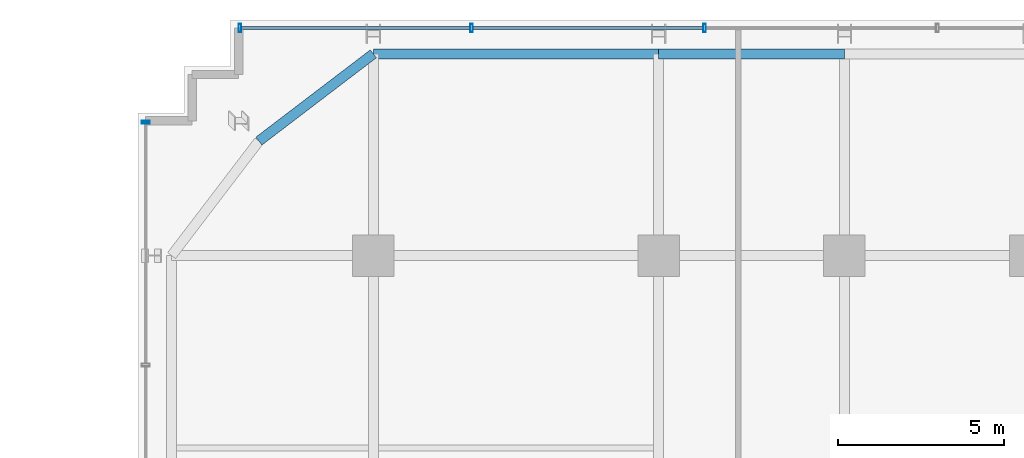
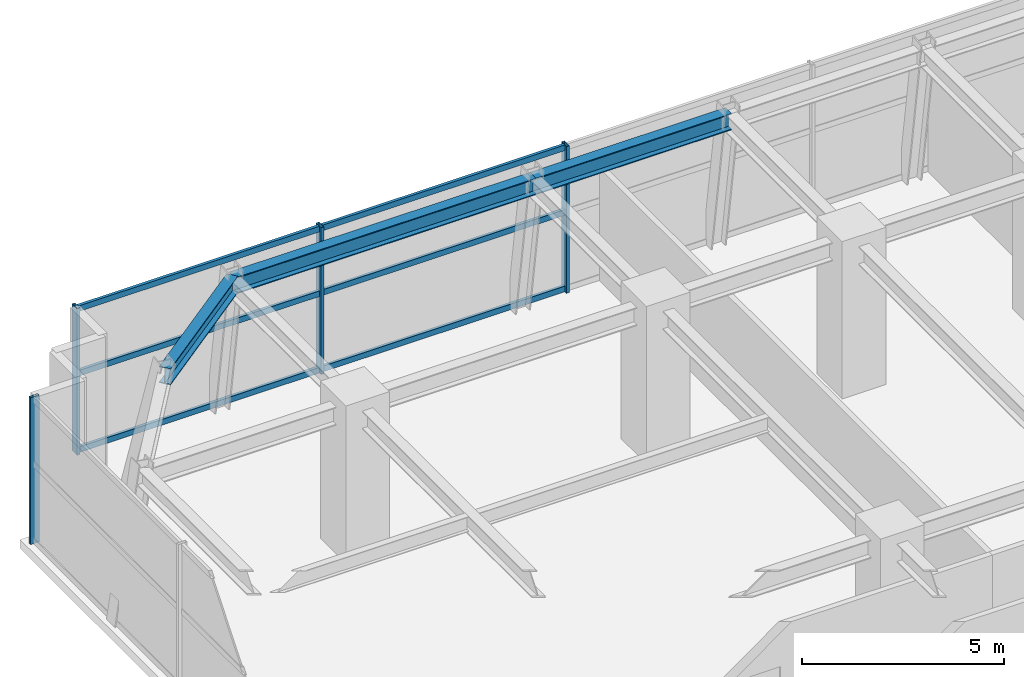
# One storey, part 14 of 26: 10 members, 3 beams, 2 elements without a shape of their own.
"""IFC4 building model written with IfcOpenShell, lengths in metres."""

from ifc_helpers import new_model, si_unit, direction, frame, origin, origin_2d, place, context, subcontext, project, spatial, hollow_rectangle, i_section, extrude, source, transform, mapped, material, material_profile, profile_set, type_object, element, aggregate, save


model = new_model("IFC4")

# Units and contexts
model_context = context("Model", 3, precision=1e-05, world=origin(), true_north=direction((0.0, 1.0)))
body_context = subcontext(model_context, "Body", "Model", "MODEL_VIEW")
ifc_project = project(units=[si_unit("LENGTHUNIT", "METRE"), si_unit("AREAUNIT", "SQUARE_METRE"), si_unit("VOLUMEUNIT", "CUBIC_METRE"), si_unit("PLANEANGLEUNIT", "RADIAN"), si_unit("MASSUNIT", "GRAM", prefix="KILO")], contexts=[model_context])

# Site, building, storey
site_placement = place(None, origin())
site = spatial("IfcSite", under=ifc_project, at=site_placement, CompositionType="ELEMENT")
building_placement = place(site_placement, origin())
building = spatial("IfcBuilding", under=site, at=building_placement, Name="Nahalor Promenade Grand Hotel", CompositionType="ELEMENT")
storey_placement = place(building_placement, frame((0.0, 0.0, 139.39990234375)))
storey = spatial("IfcBuildingStorey", under=building, at=storey_placement, Name="L35", CompositionType="ELEMENT", Elevation=139.39990234375)

# Beams
ifc_material_1 = material(Name="Steel S355JR", Category="steel")
ifc_material_profile_1 = material_profile(ifc_material_1, i_section(OverallWidth=0.3, OverallDepth=0.5, WebThickness=0.0145, FlangeThickness=0.028, at=origin_2d()), Name="HEB 500")
ifc_profile_set_1 = profile_set([ifc_material_profile_1], Name="Steel S355JR")
beam_type = type_object("IfcBeamType", Name="Beam-Spandrel-HEB500", PredefinedType="SPANDREL", material=ifc_profile_set_1)
shared_shape_1 = source(origin(), body_context, "Body", "SweptSolid", [
    extrude(i_section(OverallWidth=0.3, OverallDepth=0.5, WebThickness=0.0145, FlangeThickness=0.028, at=origin_2d()), origin(), (0.0, 0.0, 1.0), 8.60009765625),
])
beam_1_placement = place(storey_placement, frame((-17.0, 23.080078125, 4.190185546875), z_axis=(1.0, 0.0, 0.0), x_axis=(0.0, 1.0, 0.0)))
element("IfcBeam", 1, at=beam_1_placement, inside=storey, type_object=beam_type, Name="BM-L35-SP-N-0", PredefinedType="SPANDREL", context=body_context, shape_type="MappedRepresentation", body=[
    mapped(shared_shape_1, transform((0.0, 0.0, 0.0), scale=1.0)),
])
shared_shape_2 = source(origin(), body_context, "Body", "SweptSolid", [
    extrude(i_section(OverallWidth=0.3, OverallDepth=0.5, WebThickness=0.0145, FlangeThickness=0.028, at=origin_2d()), origin(), (0.0, 0.0, 1.0), 5.599853515625),
])
beam_2_placement = place(storey_placement, frame((-8.39990234375, 23.080078125, 4.190185546875), z_axis=(1.0, 0.0, 0.0), x_axis=(0.0, 1.0, 0.0)))
element("IfcBeam", 2, at=beam_2_placement, inside=storey, type_object=beam_type, Name="BM-L35-SP-N-1", PredefinedType="SPANDREL", context=body_context, shape_type="MappedRepresentation", body=[
    mapped(shared_shape_2, transform((0.0, 0.0, 0.0), scale=1.0)),
])
shared_shape_3 = source(origin(), body_context, "Body", "SweptSolid", [
    extrude(i_section(OverallWidth=0.3, OverallDepth=0.5, WebThickness=0.0145, FlangeThickness=0.028, at=origin_2d()), origin(), (0.0, 0.0, 1.0), 4.338134765625),
])
beam_3_placement = place(storey_placement, frame((-17.0, 23.080078125, 4.190185546875), z_axis=(-0.795254699214, -0.606275484724, 0.0), x_axis=(0.606275484724, -0.795254699214, 0.0)))
element("IfcBeam", 3, at=beam_3_placement, inside=storey, type_object=beam_type, Name="BM-L35-SPC-NW-1", PredefinedType="SPANDREL", context=body_context, shape_type="MappedRepresentation", body=[
    mapped(shared_shape_3, transform((0.0, 0.0, 0.0), scale=1.0)),
])

# Curtain wall, members
ifc_material_2 = material(Name="Anodised Bronze Aluminium EN AW-6063 T6", Category="aluminium")
curtain_wall_type = type_object("IfcCurtainWallType", Name="CW5 Sky-Lobby & Observation Panoramic Curtain Wall", PredefinedType="USERDEFINED", material=ifc_material_2)
curtain_wall_1_placement = place(storey_placement, origin())
curtain_wall_1 = element("IfcCurtainWall", 4, at=curtain_wall_1_placement, inside=storey, type_object=curtain_wall_type, Name="L35 Curtain Wall CW-L35-N-1", ObjectType="UNITISED_CURTAIN_WALL", PredefinedType="USERDEFINED")
ifc_material_profile_2 = material_profile(ifc_material_2, hollow_rectangle(XDim=0.085, YDim=0.25, WallThickness=0.006, at=origin_2d()), Name="CWM 85x250x6")
ifc_profile_set_2 = profile_set([ifc_material_profile_2], Name="Anodised Bronze Aluminium EN AW-6063 T6")
member_type_1 = type_object("IfcMemberType", Name="CWM5 Panoramic Deep Mullion 85x250", PredefinedType="MULLION", material=ifc_profile_set_2)
shared_shape_4 = source(origin(), body_context, "Body", "SweptSolid", [
    extrude(hollow_rectangle(XDim=0.085, YDim=0.25, WallThickness=0.006, at=origin_2d()), origin(), (0.0, 0.0, 1.0), 4.440185546875),
])
member_1_placement = place(storey_placement, frame((-21.017578125, 23.860107421875, 0.0), z_axis=(0.0, 0.0, 1.0), x_axis=(1.0, 0.0, 0.0)))
member_1 = element("IfcMember", 5, at=member_1_placement, type_object=member_type_1, Name="CW-L35-N-1 Mullion 0", PredefinedType="MULLION", context=body_context, shape_type="MappedRepresentation", body=[
    mapped(shared_shape_4, transform((0.0, 0.0, 0.0), scale=1.0)),
])
member_2_placement = place(storey_placement, frame((-14.0400390625, 23.860107421875, 0.0), z_axis=(0.0, 0.0, 1.0), x_axis=(1.0, 0.0, 0.0)))
member_2 = element("IfcMember", 6, at=member_2_placement, type_object=member_type_1, Name="CW-L35-N-1 Mullion 1", PredefinedType="MULLION", context=body_context, shape_type="MappedRepresentation", body=[
    mapped(shared_shape_4, transform((0.0, 0.0, 0.0), scale=1.0)),
])
member_3_placement = place(storey_placement, frame((-7.02001953125, 23.860107421875, 0.0), z_axis=(0.0, 0.0, 1.0), x_axis=(1.0, 0.0, 0.0)))
member_3 = element("IfcMember", 7, at=member_3_placement, type_object=member_type_1, Name="CW-L35-N-1 Mullion 2", PredefinedType="MULLION", context=body_context, shape_type="MappedRepresentation", body=[
    mapped(shared_shape_4, transform((0.0, 0.0, 0.0), scale=1.0)),
])

# Curtain wall, member
curtain_wall_2_placement = place(storey_placement, origin())
curtain_wall_2 = element("IfcCurtainWall", 8, at=curtain_wall_2_placement, inside=storey, type_object=curtain_wall_type, Name="L35 Curtain Wall CW-L35-W-3", ObjectType="UNITISED_CURTAIN_WALL", PredefinedType="USERDEFINED")
member_4_placement = place(storey_placement, frame((-23.860107421875, 21.017578125, 0.0), z_axis=(0.0, 0.0, 1.0), x_axis=(0.0, 1.0, 0.0)))
member_4 = element("IfcMember", 9, at=member_4_placement, type_object=member_type_1, Name="CW-L35-W-3 Mullion 4", PredefinedType="MULLION", context=body_context, shape_type="MappedRepresentation", body=[
    mapped(shared_shape_4, transform((0.0, 0.0, 0.0), scale=1.0)),
])
aggregate(curtain_wall_2, [member_4])

# Member
ifc_material_profile_3 = material_profile(ifc_material_2, hollow_rectangle(XDim=0.085, YDim=0.17, WallThickness=0.005, at=origin_2d()), Name="CWT 85x170x5")
ifc_profile_set_3 = profile_set([ifc_material_profile_3], Name="Anodised Bronze Aluminium EN AW-6063 T6")
member_type_2 = type_object("IfcMemberType", Name="CWT5 Panoramic Transom 85x170", PredefinedType="USERDEFINED", material=ifc_profile_set_3)
shared_shape_5 = source(origin(), body_context, "Body", "SweptSolid", [
    extrude(hollow_rectangle(XDim=0.085, YDim=0.17, WallThickness=0.005, at=origin_2d()), origin(), (0.0, 0.0, 1.0), 6.892578125),
])
member_5_placement = place(storey_placement, frame((-20.97509765625, 23.860107421875, 0.085205078125), z_axis=(1.0, 0.0, 0.0), x_axis=(0.0, 1.0, 0.0)))
member_5 = element("IfcMember", 10, at=member_5_placement, type_object=member_type_2, Name="CW-L35-N-1 Transom 0-0", ObjectType="TRANSOM", PredefinedType="USERDEFINED", context=body_context, shape_type="MappedRepresentation", body=[
    mapped(shared_shape_5, transform((0.0, 0.0, 0.0), scale=1.0)),
])

member_6_placement = place(storey_placement, frame((-20.97509765625, 23.860107421875, 2.400146484375), z_axis=(1.0, 0.0, 0.0), x_axis=(0.0, 1.0, 0.0)))
member_6 = element("IfcMember", 11, at=member_6_placement, type_object=member_type_2, Name="CW-L35-N-1 Transom 0-1", ObjectType="TRANSOM", PredefinedType="USERDEFINED", context=body_context, shape_type="MappedRepresentation", body=[
    mapped(shared_shape_5, transform((0.0, 0.0, 0.0), scale=1.0)),
])

member_7_placement = place(storey_placement, frame((-20.97509765625, 23.860107421875, 4.35498046875), z_axis=(1.0, 0.0, 0.0), x_axis=(0.0, 1.0, 0.0)))
member_7 = element("IfcMember", 12, at=member_7_placement, type_object=member_type_2, Name="CW-L35-N-1 Transom 0-2", ObjectType="TRANSOM", PredefinedType="USERDEFINED", context=body_context, shape_type="MappedRepresentation", body=[
    mapped(shared_shape_5, transform((0.0, 0.0, 0.0), scale=1.0)),
])

shared_shape_6 = source(origin(), body_context, "Body", "SweptSolid", [
    extrude(hollow_rectangle(XDim=0.085, YDim=0.17, WallThickness=0.005, at=origin_2d()), origin(), (0.0, 0.0, 1.0), 6.93505859375),
])
member_8_placement = place(storey_placement, frame((-13.99755859375, 23.860107421875, 0.085205078125), z_axis=(1.0, 0.0, 0.0), x_axis=(0.0, 1.0, 0.0)))
member_8 = element("IfcMember", 13, at=member_8_placement, type_object=member_type_2, Name="CW-L35-N-1 Transom 1-0", ObjectType="TRANSOM", PredefinedType="USERDEFINED", context=body_context, shape_type="MappedRepresentation", body=[
    mapped(shared_shape_6, transform((0.0, 0.0, 0.0), scale=1.0)),
])

member_9_placement = place(storey_placement, frame((-13.99755859375, 23.860107421875, 2.400146484375), z_axis=(1.0, 0.0, 0.0), x_axis=(0.0, 1.0, 0.0)))
member_9 = element("IfcMember", 14, at=member_9_placement, type_object=member_type_2, Name="CW-L35-N-1 Transom 1-1", ObjectType="TRANSOM", PredefinedType="USERDEFINED", context=body_context, shape_type="MappedRepresentation", body=[
    mapped(shared_shape_6, transform((0.0, 0.0, 0.0), scale=1.0)),
])

member_10_placement = place(storey_placement, frame((-13.99755859375, 23.860107421875, 4.35498046875), z_axis=(1.0, 0.0, 0.0), x_axis=(0.0, 1.0, 0.0)))
member_10 = element("IfcMember", 15, at=member_10_placement, type_object=member_type_2, Name="CW-L35-N-1 Transom 1-2", ObjectType="TRANSOM", PredefinedType="USERDEFINED", context=body_context, shape_type="MappedRepresentation", body=[
    mapped(shared_shape_6, transform((0.0, 0.0, 0.0), scale=1.0)),
])

aggregate(curtain_wall_1, [member_1, member_2, member_3, member_5, member_6, member_7, member_8, member_9, member_10])

save(model, "model.ifc")
